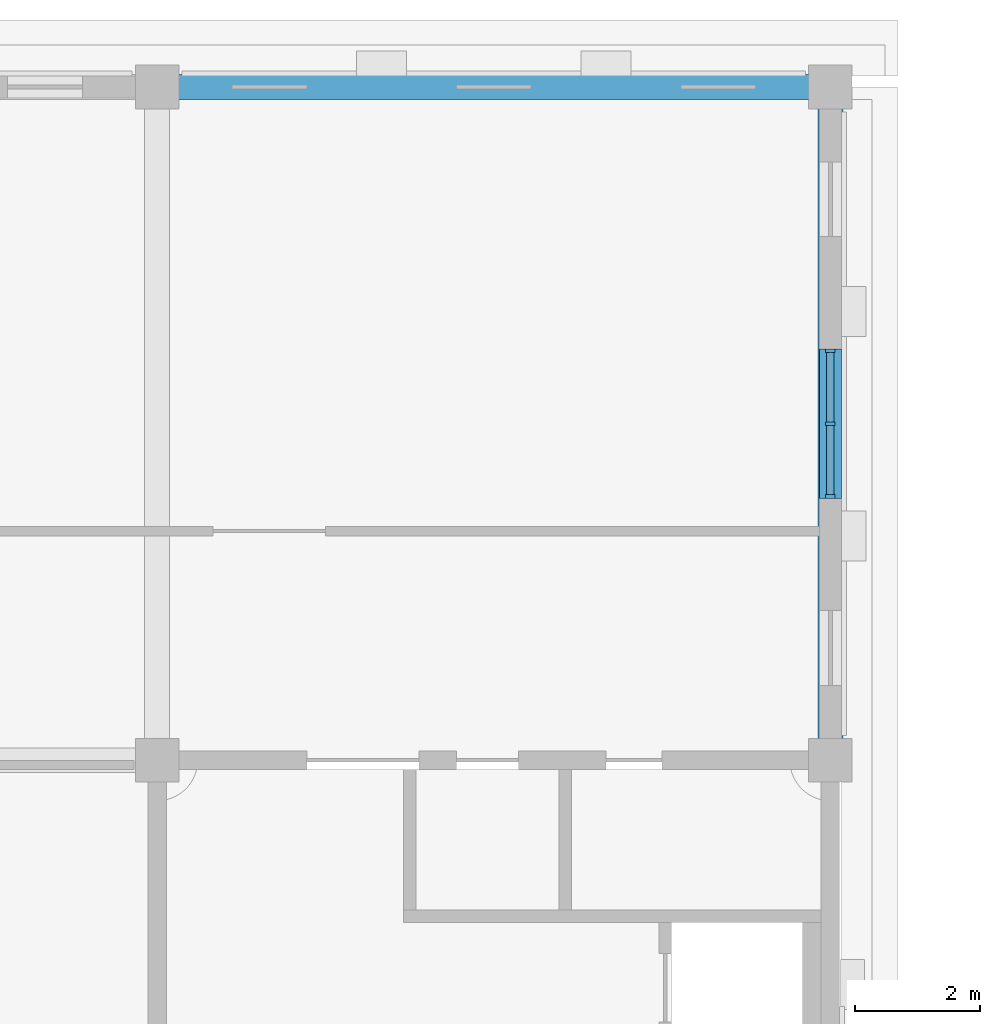
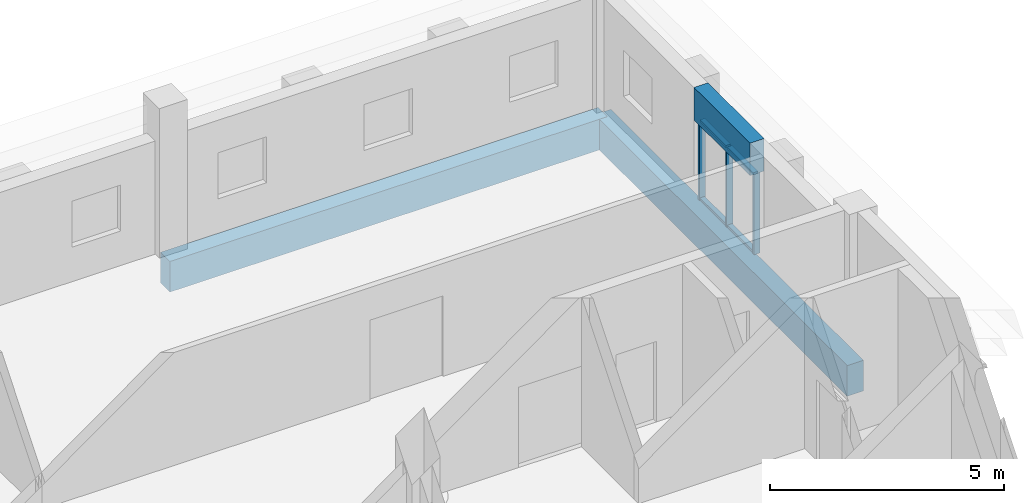
# One storey, part 5 of 10: 7 members, 3 beams, 1 element without a shape of its own.
"""IFC4 building model written with IfcOpenShell, lengths in metres."""

import ifcopenshell
import ifcopenshell.guid

model = None  # the IFC model being written
_history = None  # IfcOwnerHistory: only IFC2X3 demands one
_inside = {}  # id of a spatial element -> (the spatial element, [elements in it])
_under = {}  # id of a project, library or spatial element -> (it, [spatial elements below it])
_declared = {}  # id of a project -> (the project, [libraries it declares])
_typed = {}  # id of a type object -> (the type object, [elements of that type])
_made_of = {}  # id of a material, layer set ... -> (it, [elements and type objects made of it])


def new_model(schema):
    """Start an empty IFC model of exactly this schema.

    Asked for "IFC4X3", IfcOpenShell would pick the latest addendum, in which some entities
    have other attributes; the version numbers below select the first issue.
    IFC2X3 requires an IfcOwnerHistory on every rooted entity: one is made here for all.
    """
    global model, _history
    if schema == "IFC4X3":
        model = ifcopenshell.file(schema_version=(4, 3, 0, 0))
    else:
        model = ifcopenshell.file(schema=schema)
    _inside.clear()
    _under.clear()
    _declared.clear()
    _typed.clear()
    _made_of.clear()
    _history = None
    if model.schema == "IFC2X3":
        org = make("IfcOrganization", Name="unknown")
        user = make(
            "IfcPersonAndOrganization",
            ThePerson=make("IfcPerson", FamilyName="unknown"),
            TheOrganization=org,
        )
        app = make(
            "IfcApplication",
            ApplicationDeveloper=org,
            Version="unknown",
            ApplicationFullName="unknown",
            ApplicationIdentifier="unknown",
        )
        _history = make(
            "IfcOwnerHistory",
            OwningUser=user,
            OwningApplication=app,
            ChangeAction="ADDED",
            CreationDate=0,
        )
    return model


def make(cls, **values):
    """One entity of the class cls with the attributes given. An attribute that is None is left unset."""
    return model.create_entity(
        cls, **{name: value for name, value in values.items() if value is not None}
    )


def rooted(cls, **values):
    """An entity with a GlobalId (a new one), such as an element, a storey or a relation."""
    return make(cls, GlobalId=ifcopenshell.guid.new(), OwnerHistory=_history, **values)


def si_unit(unit_type, name, prefix=None):
    """IfcSIUnit, for example si_unit("LENGTHUNIT", "METRE", prefix="MILLI")."""
    return make("IfcSIUnit", UnitType=unit_type, Prefix=prefix, Name=name)


def assignment(units):
    """IfcUnitAssignment: the units of a project."""
    return None if units is None else make("IfcUnitAssignment", Units=units)


def point(xyz):
    """IfcCartesianPoint."""
    return None if xyz is None else make("IfcCartesianPoint", Coordinates=xyz)


def direction(xyz):
    """IfcDirection."""
    return None if xyz is None else make("IfcDirection", DirectionRatios=xyz)


def frame(location, z_axis=None, x_axis=None):
    """IfcAxis2Placement3D, a coordinate frame: its origin and axes. An axis left out is left unset."""
    return make(
        "IfcAxis2Placement3D",
        Location=point(location),
        Axis=direction(z_axis),
        RefDirection=direction(x_axis),
    )


def frame_2d(location, x_axis=None):
    """IfcAxis2Placement2D, a coordinate frame in the plane: its origin and x axis."""
    return make(
        "IfcAxis2Placement2D", Location=point(location), RefDirection=direction(x_axis)
    )


def origin():
    """The frame at (0, 0, 0) with its axes left unset."""
    return frame((0.0, 0.0, 0.0))


def origin_2d():
    """The frame at (0, 0) in the plane with its x axis left unset."""
    return frame_2d((0.0, 0.0))


def place(relative_to, where):
    """IfcLocalPlacement: puts the frame where relative to a parent placement (None: the world)."""
    return make(
        "IfcLocalPlacement", PlacementRelTo=relative_to, RelativePlacement=where
    )


def context(
    kind, dimensions, precision=None, world=None, true_north=None, identifier=None
):
    """IfcGeometricRepresentationContext, for example the 3D "Model" context."""
    return make(
        "IfcGeometricRepresentationContext",
        ContextIdentifier=identifier,
        ContextType=kind,
        CoordinateSpaceDimension=dimensions,
        Precision=precision,
        WorldCoordinateSystem=world,
        TrueNorth=true_north,
    )


def subcontext(parent, identifier, kind, view, scale=None):
    """IfcGeometricRepresentationSubContext, for example "Body" below "Model"."""
    return make(
        "IfcGeometricRepresentationSubContext",
        ContextIdentifier=identifier,
        ContextType=kind,
        ParentContext=parent,
        TargetScale=scale,
        TargetView=view,
    )


def project(units=None, contexts=None):
    """IfcProject with its units and contexts."""
    return rooted(
        "IfcProject",
        Name="project",
        RepresentationContexts=contexts,
        UnitsInContext=assignment(units),
    )


def spatial(cls, under=None, at=None, **own):
    """A site, building, storey or space (cls), placed at a placement, below another one or the project."""
    s = rooted(cls, ObjectPlacement=at, **own)
    if under is not None:
        _under.setdefault(under.id(), (under, []))[1].append(s)
    return s


def profile(cls, at=None, kind="AREA", **sizes):
    """A parametric profile (cls). Its sizes go by their IFC names, for example OverallWidth=200.0."""
    return make(cls, ProfileType=kind, Position=at, **sizes)


def rectangle(**sizes):
    """IfcRectangleProfileDef."""
    return profile("IfcRectangleProfileDef", **sizes)


def extrude(swept, where, along, depth):
    """IfcExtrudedAreaSolid: the profile swept, set in the frame where, extruded along a direction by depth."""
    return make(
        "IfcExtrudedAreaSolid",
        SweptArea=swept,
        Position=where,
        ExtrudedDirection=direction(along),
        Depth=depth,
    )


def shape(context_of_items, identifier, shape_type, items):
    """IfcShapeRepresentation: the items that make up one representation, for example the "Body"."""
    return make(
        "IfcShapeRepresentation",
        ContextOfItems=context_of_items,
        RepresentationIdentifier=identifier,
        RepresentationType=shape_type,
        Items=items,
    )


def material(Name=None, Category=None):
    """IfcMaterial."""
    return make("IfcMaterial", Name=Name, Category=Category)


def layer(
    of_material, thickness, ventilated=None, Name=None, Category=None, Priority=None
):
    """IfcMaterialLayer: one layer of a wall or slab, of a material (None: an air gap)."""
    return make(
        "IfcMaterialLayer",
        Material=of_material,
        LayerThickness=thickness,
        IsVentilated=ventilated,
        Name=Name,
        Category=Category,
        Priority=Priority,
    )


def layer_set(layers, Name=None):
    """IfcMaterialLayerSet."""
    return make("IfcMaterialLayerSet", MaterialLayers=layers, LayerSetName=Name)


def material_profile(
    of_material, cross_section, Name=None, Category=None, Priority=None
):
    """IfcMaterialProfile: a cross section and its material."""
    return make(
        "IfcMaterialProfile",
        Name=Name,
        Material=of_material,
        Profile=cross_section,
        Priority=Priority,
        Category=Category,
    )


def profile_set(profiles, Name=None, composite=None):
    """IfcMaterialProfileSet."""
    return make(
        "IfcMaterialProfileSet",
        Name=Name,
        MaterialProfiles=profiles,
        CompositeProfile=composite,
    )


def made_of(thing, what):
    """Note that an element or type object is made of a material, layer set ...; save() writes the relation."""
    if what is not None:
        _made_of.setdefault(what.id(), (what, []))[1].append(thing)
    return thing


def type_object(cls, material=None, **own):
    """A type object (cls), such as IfcWallType, which elements share."""
    return made_of(rooted(cls, **own), material)


def element(
    cls,
    number,
    at=None,
    inside=None,
    cuts=None,
    type_object=None,
    material=None,
    context=None,
    identifier="Body",
    shape_type=None,
    held_by="IfcProductDefinitionShape",
    body=None,
    shapes=None,
    **own,
):
    """One element of the class cls, such as IfcWall. Its Tag is "e" and its number.

    at: its placement. inside: the storey or other place that contains it. cuts: it is an
    opening in that element (IfcRelVoidsElement). A single representation is given by context,
    identifier, shape_type and body (its items); several are given by shapes. held_by: the class
    of the entity that holds the representations. save() writes the other relations.
    """
    e = rooted(cls, Tag="e%d" % number, ObjectPlacement=at, **own)
    if body is not None:
        shapes = [shape(context, identifier, shape_type, body)]
    if shapes is not None:
        e.Representation = make(held_by, Representations=shapes)
    if inside is not None:
        _inside.setdefault(inside.id(), (inside, []))[1].append(e)
    if cuts is not None:
        rooted(
            "IfcRelVoidsElement", RelatingBuildingElement=cuts, RelatedOpeningElement=e
        )
    if type_object is not None:
        _typed.setdefault(type_object.id(), (type_object, []))[1].append(e)
    return made_of(e, material)


def aggregate(whole, parts):
    """IfcRelAggregates: a whole, such as a stair, and the parts it consists of."""
    return rooted("IfcRelAggregates", RelatingObject=whole, RelatedObjects=parts)


def save(model, path):
    """Write the relations noted so far, then the file.

    IfcRelAggregates (storeys below a building ...), IfcRelContainedInSpatialStructure (elements
    in a storey), IfcRelDefinesByType, IfcRelAssociatesMaterial and IfcRelDeclares: one each for
    every whole, place, type object, material and project.
    """
    for whole, parts in _under.values():
        aggregate(whole, parts)
    for where, things in _inside.values():
        rooted(
            "IfcRelContainedInSpatialStructure",
            RelatedElements=things,
            RelatingStructure=where,
        )
    for kind, things in _typed.values():
        rooted("IfcRelDefinesByType", RelatedObjects=things, RelatingType=kind)
    for what, things in _made_of.values():
        rooted("IfcRelAssociatesMaterial", RelatedObjects=things, RelatingMaterial=what)
    for by, libraries in _declared.values():
        rooted("IfcRelDeclares", RelatingContext=by, RelatedDefinitions=libraries)
    model.write(path)


model = new_model("IFC4")

# Units and contexts
model_context = context("Model", 3, precision=1e-05, world=origin(), true_north=direction((0.0, 1.0)))
body_context = subcontext(model_context, "Body", "Model", "MODEL_VIEW")
ifc_project = project(units=[si_unit("LENGTHUNIT", "METRE"), si_unit("AREAUNIT", "SQUARE_METRE"), si_unit("VOLUMEUNIT", "CUBIC_METRE"), si_unit("PLANEANGLEUNIT", "RADIAN"), si_unit("MASSUNIT", "GRAM", prefix="KILO")], contexts=[model_context])

# Site, building, storey
site_placement = place(None, origin())
site = spatial("IfcSite", under=ifc_project, at=site_placement, CompositionType="ELEMENT")
building_placement = place(site_placement, origin())
building = spatial("IfcBuilding", under=site, at=building_placement, Name="Magnolia Steps Interchange", CompositionType="ELEMENT")
storey_placement = place(building_placement, frame((0.0, 0.0, 24.300048828125)))
storey = spatial("IfcBuildingStorey", under=building, at=storey_placement, Name="L06", CompositionType="ELEMENT", Elevation=24.300048828125)

# Curtain wall, members
ifc_material_1 = material(Name="Powder-coated aluminium and glass", Category="aluminium")
ifc_layer = layer(ifc_material_1, 0.199951171875)
ifc_layer_set = layer_set([ifc_layer], Name="Glazed central bay curtain wall")
curtain_wall_type = type_object("IfcCurtainWallType", Name="Glazed central bay curtain wall", PredefinedType="NOTDEFINED", material=ifc_layer_set)
curtain_wall_placement = place(storey_placement, origin())
curtain_wall = element("IfcCurtainWall", 1, at=curtain_wall_placement, inside=storey, type_object=curtain_wall_type, Name="Operations building east wall L06 glazing 2", PredefinedType="NOTDEFINED")
ifc_material_2 = material(Name="White powder-coated aluminium", Category="aluminium")
ifc_material_profile_1 = material_profile(ifc_material_2, rectangle(XDim=0.06005859375, YDim=0.14990234375, at=origin_2d()), Name="Aluminium mullion 60 x 150")
ifc_profile_set_1 = profile_set([ifc_material_profile_1], Name="White powder-coated aluminium")
member_type_1 = type_object("IfcMemberType", Name="Aluminium mullion 60 x 150", PredefinedType="MULLION", material=ifc_profile_set_1)
member_1_placement = place(storey_placement, frame((118.0, 111.429931640625, 0.0), z_axis=(0.0, 0.0, 1.0), x_axis=(0.0, 1.0, 0.0)))
member_1 = element("IfcMember", 2, at=member_1_placement, type_object=member_type_1, Name="CW2 mullion 1", PredefinedType="MULLION", context=body_context, shape_type="SweptSolid", body=[
    extrude(rectangle(XDim=0.06005859375, YDim=0.14990234375, at=origin_2d()), origin(), (0.0, 0.0, 1.0), 2.099853515625),
])
member_2_placement = place(storey_placement, frame((118.0, 112.60009765625, 0.0), z_axis=(0.0, 0.0, 1.0), x_axis=(0.0, 1.0, 0.0)))
member_2 = element("IfcMember", 3, at=member_2_placement, type_object=member_type_1, Name="CW2 mullion 2", PredefinedType="MULLION", context=body_context, shape_type="SweptSolid", body=[
    extrude(rectangle(XDim=0.06005859375, YDim=0.14990234375, at=origin_2d()), origin(), (0.0, 0.0, 1.0), 2.099853515625),
])
member_3_placement = place(storey_placement, frame((118.0, 113.77001953125, 0.0), z_axis=(0.0, 0.0, 1.0), x_axis=(0.0, 1.0, 0.0)))
member_3 = element("IfcMember", 4, at=member_3_placement, type_object=member_type_1, Name="CW2 mullion 3", PredefinedType="MULLION", context=body_context, shape_type="SweptSolid", body=[
    extrude(rectangle(XDim=0.06005859375, YDim=0.14990234375, at=origin_2d()), origin(), (0.0, 0.0, 1.0), 2.099853515625),
])
ifc_material_3 = material(Name="White powder-coated aluminium", Category="aluminium")
ifc_material_profile_2 = material_profile(ifc_material_3, rectangle(XDim=0.06005859375, YDim=0.1201171875, at=origin_2d()), Name="Aluminium transom 60 x 120")
ifc_profile_set_2 = profile_set([ifc_material_profile_2], Name="White powder-coated aluminium")
member_type_2 = type_object("IfcMemberType", Name="Aluminium transom 60 x 120", PredefinedType="USERDEFINED", material=ifc_profile_set_2)
member_4_placement = place(storey_placement, frame((118.0, 111.4599609375, 0.030029296875), z_axis=(0.0, 1.0, 0.0), x_axis=(0.0, 0.0, 1.0)))
member_4 = element("IfcMember", 5, at=member_4_placement, type_object=member_type_2, Name="CW2 transom 1.1", ObjectType="TRANSOM", PredefinedType="USERDEFINED", context=body_context, shape_type="SweptSolid", body=[
    extrude(rectangle(XDim=0.06005859375, YDim=0.1201171875, at=origin_2d()), origin(), (0.0, 0.0, 1.0), 1.110107421875),
])
member_5_placement = place(storey_placement, frame((118.0, 111.4599609375, 2.070068359375), z_axis=(0.0, 1.0, 0.0), x_axis=(0.0, 0.0, 1.0)))
member_5 = element("IfcMember", 6, at=member_5_placement, type_object=member_type_2, Name="CW2 transom 1.2", ObjectType="TRANSOM", PredefinedType="USERDEFINED", context=body_context, shape_type="SweptSolid", body=[
    extrude(rectangle(XDim=0.06005859375, YDim=0.1201171875, at=origin_2d()), origin(), (0.0, 0.0, 1.0), 1.110107421875),
])
member_6_placement = place(storey_placement, frame((118.0, 112.6298828125, 0.030029296875), z_axis=(0.0, 1.0, 0.0), x_axis=(0.0, 0.0, 1.0)))
member_6 = element("IfcMember", 7, at=member_6_placement, type_object=member_type_2, Name="CW2 transom 2.1", ObjectType="TRANSOM", PredefinedType="USERDEFINED", context=body_context, shape_type="SweptSolid", body=[
    extrude(rectangle(XDim=0.06005859375, YDim=0.1201171875, at=origin_2d()), origin(), (0.0, 0.0, 1.0), 1.110107421875),
])
member_7_placement = place(storey_placement, frame((118.0, 112.6298828125, 2.070068359375), z_axis=(0.0, 1.0, 0.0), x_axis=(0.0, 0.0, 1.0)))
member_7 = element("IfcMember", 8, at=member_7_placement, type_object=member_type_2, Name="CW2 transom 2.2", ObjectType="TRANSOM", PredefinedType="USERDEFINED", context=body_context, shape_type="SweptSolid", body=[
    extrude(rectangle(XDim=0.06005859375, YDim=0.1201171875, at=origin_2d()), origin(), (0.0, 0.0, 1.0), 1.110107421875),
])
aggregate(curtain_wall, [member_1, member_2, member_3, member_4, member_5, member_6, member_7])

# Beams
ifc_material_4 = material(Name="Concrete C40", Category="concrete")
ifc_material_profile_3 = material_profile(ifc_material_4, rectangle(XDim=0.35009765625, YDim=0.85009765625, at=origin_2d()), Name="RC350x850")
ifc_profile_set_3 = profile_set([ifc_material_profile_3], Name="Concrete C40")
beam_type_1 = type_object("IfcBeamType", Name="Lime render lintel 350x850", PredefinedType="LINTEL", material=ifc_profile_set_3)
beam_placement = place(storey_placement, frame((118.0, 111.39990234375, 2.52490234375), z_axis=(0.0, 1.0, 0.0), x_axis=(-1.0, 0.0, 0.0)))
element("IfcBeam", 9, at=beam_placement, inside=storey, type_object=beam_type_1, Name="Operations building east wall L06 lintel 2", PredefinedType="LINTEL", context=body_context, shape_type="SweptSolid", body=[
    extrude(rectangle(XDim=0.35009765625, YDim=0.85009765625, at=origin_2d()), origin(), (0.0, 0.0, 1.0), 2.400146484375),
])
ifc_material_5 = material(Name="Concrete C40", Category="concrete")
ifc_material_profile_4 = material_profile(ifc_material_5, rectangle(XDim=0.39990234375, YDim=0.800048828125, at=origin_2d()), Name="RC400x800")
ifc_profile_set_4 = profile_set([ifc_material_profile_4], Name="Concrete C40")
beam_type_2 = type_object("IfcBeamType", Name="RC beam 400x800", PredefinedType="BEAM", material=ifc_profile_set_4)
for number, where, z_axis, x_axis, name in (
    (10, (107.199951171875, 118.0, -0.699951171875), (1.0, 0.0, 0.0), (0.0, 1.0, 0.0), "Beam L06 K 10-11"),
    (11, (118.0, 107.199951171875, -0.699951171875), (0.0, 1.0, 0.0), (-1.0, 0.0, 0.0), "Beam L06 11 J-K"),
):
    element("IfcBeam", number, at=place(storey_placement, frame(where, z_axis=z_axis, x_axis=x_axis)), inside=storey, type_object=beam_type_2, Name=name, PredefinedType="BEAM", context=body_context, shape_type="SweptSolid", body=[
        extrude(rectangle(XDim=0.39990234375, YDim=0.800048828125, at=origin_2d()), origin(), (0.0, 0.0, 1.0), 10.800048828125),
    ])

save(model, "model.ifc")
